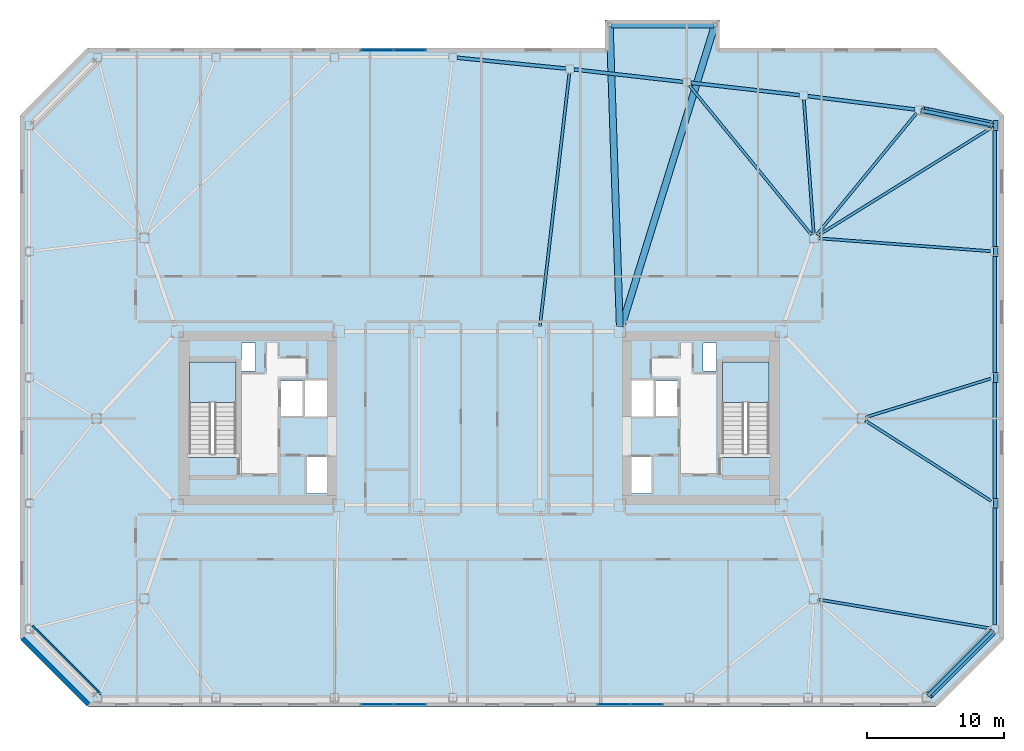
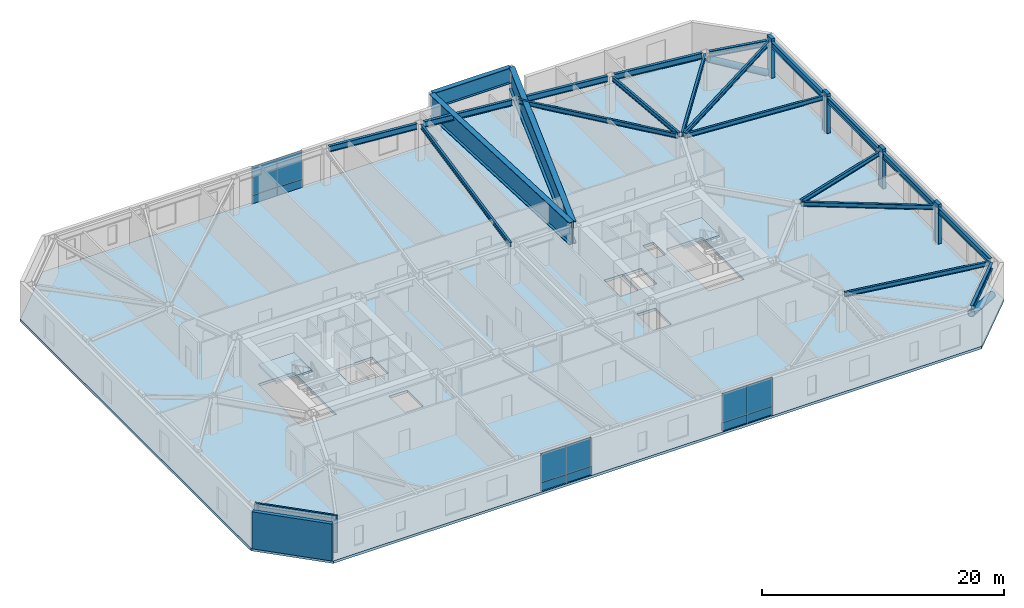
# One storey, part 9 of 18: 22 beams, 12 plates, 6 members, 3 slabs, 2 walls, 5 elements without a shape of their own.
"""IFC4 building model written with IfcOpenShell, lengths in metres."""

from ifc_helpers import new_model, si_unit, direction, frame, frame_2d, origin, origin_2d, place, context, subcontext, project, spatial, polyline, rectangle, hollow_circle, i_section, outline, extrude, material, layer, layer_set, material_profile, profile_set, type_object, element, aggregate, save


model = new_model("IFC4")

# Units and contexts
model_context = context("Model", 3, precision=1e-05, world=origin(), true_north=direction((0.0, 1.0)))
body_context = subcontext(model_context, "Body", "Model", "MODEL_VIEW")
ifc_project = project(units=[si_unit("LENGTHUNIT", "METRE"), si_unit("AREAUNIT", "SQUARE_METRE"), si_unit("VOLUMEUNIT", "CUBIC_METRE"), si_unit("PLANEANGLEUNIT", "RADIAN"), si_unit("MASSUNIT", "GRAM", prefix="KILO")], contexts=[model_context])

# Site, building, storey
site_placement = place(None, origin())
site = spatial("IfcSite", under=ifc_project, at=site_placement, CompositionType="ELEMENT")
building_placement = place(site_placement, origin())
building = spatial("IfcBuilding", under=site, at=building_placement, Name="Tavrogorsk Clinical Tower", CompositionType="ELEMENT")
storey_placement = place(building_placement, frame((0.0, 0.0, 180.199951171875)))
storey = spatial("IfcBuildingStorey", under=building, at=storey_placement, Name="L41", CompositionType="ELEMENT", Elevation=180.199951171875)

# Members
ifc_material_1 = material(Name="Structural steel S440", Category="steel")
ifc_material_profile_1 = material_profile(ifc_material_1, hollow_circle(Radius=0.304931640625, WallThickness=0.02490234375, at=origin_2d()), Name="CHS-610x25")
ifc_profile_set_1 = profile_set([ifc_material_profile_1], Name="Structural steel S440")
member_type_1 = type_object("IfcMemberType", Name="ExoBrace_CHS610", PredefinedType="BRACE", material=ifc_profile_set_1)
member_1_placement = place(storey_placement, frame((37.517333984375, -15.62255859375, 0.4130859375), z_axis=(-0.657738695475, -0.657773644396, 0.3670335696), x_axis=(0.707125566484, -0.70708799539, 0.0)))
element("IfcMember", 1, at=member_1_placement, inside=storey, type_object=member_type_1, Name="L41 Corner Exoskeleton Brace S8-E1", PredefinedType="BRACE", context=body_context, shape_type="SweptSolid", body=[
    extrude(hollow_circle(Radius=0.304931640625, WallThickness=0.02490234375, at=origin_2d()), origin(), (0.0, 0.0, 1.0), 6.985595703125),
])
member_2_placement = place(storey_placement, frame((37.44970703125, 21.47607421875, 0.4365234375), z_axis=(-0.877871206027, 0.181924853718, 0.442996042002), x_axis=(-0.202922555913, -0.979194789764, 0.0)))
element("IfcMember", 2, at=member_2_placement, inside=storey, type_object=member_type_1, Name="L41 Corner Exoskeleton Brace E5-N1", PredefinedType="BRACE", context=body_context, shape_type="SweptSolid", body=[
    extrude(hollow_circle(Radius=0.304931640625, WallThickness=0.02490234375, at=origin_2d()), origin(), (0.0, 0.0, 1.0), 5.681884765625),
])

# Beams
ifc_material_2 = material(Name="Structural steel S355", Category="steel")
ifc_material_profile_2 = material_profile(ifc_material_2, i_section(OverallWidth=0.199951171875, OverallDepth=0.449951171875, WebThickness=0.011474609375, FlangeThickness=0.01806640625, at=origin_2d()), Name="B-450x200x11.5x18")
ifc_profile_set_2 = profile_set([ifc_material_profile_2], Name="Structural steel S355")
beam_type_1 = type_object("IfcBeamType", Name="FloorBeam_B450", PredefinedType="BEAM", material=ifc_profile_set_2)
beam_1_placement = place(storey_placement, frame((24.69677734375, 13.439453125, 3.51513671875), z_axis=(0.634628511763, 0.772817347151, 0.0), x_axis=(-0.772817347151, 0.634628511763, 0.0)))
element("IfcBeam", 3, at=beam_1_placement, inside=storey, type_object=beam_type_1, Name="L41 Radial Floor Beam N1", PredefinedType="BEAM", context=body_context, shape_type="SweptSolid", body=[
    extrude(i_section(OverallWidth=0.199951171875, OverallDepth=0.449951171875, WebThickness=0.011474609375, FlangeThickness=0.01806640625, at=origin_2d()), origin(), (0.0, 0.0, 1.0), 11.501220703125),
])
beam_2_placement = place(storey_placement, frame((24.477294921875, 13.50927734375, 3.51513671875), z_axis=(-0.072962981763, 0.9973346496, 0.0), x_axis=(-0.9973346496, -0.072962981763, 0.0)))
element("IfcBeam", 4, at=beam_2_placement, inside=storey, type_object=beam_type_1, Name="L41 Radial Floor Beam N2", PredefinedType="BEAM", context=body_context, shape_type="SweptSolid", body=[
    extrude(i_section(OverallWidth=0.199951171875, OverallDepth=0.449951171875, WebThickness=0.011474609375, FlangeThickness=0.01806640625, at=origin_2d()), origin(), (0.0, 0.0, 1.0), 9.827392578125),
])
beam_3_placement = place(storey_placement, frame((24.3037109375, 13.43994140625, 3.51513671875), z_axis=(-0.632955765669, 0.774187960838, 0.0), x_axis=(-0.774187960838, -0.632955765669, 0.0)))
element("IfcBeam", 5, at=beam_3_placement, inside=storey, type_object=beam_type_1, Name="L41 Radial Floor Beam N3", PredefinedType="BEAM", context=body_context, shape_type="SweptSolid", body=[
    extrude(i_section(OverallWidth=0.199951171875, OverallDepth=0.449951171875, WebThickness=0.011474609375, FlangeThickness=0.01806640625, at=origin_2d()), origin(), (0.0, 0.0, 1.0), 14.09716796875),
])
beam_4_placement = place(storey_placement, frame((4.447265625, 6.75732421875, 3.51513671875), z_axis=(0.115490633481, 0.993308569166, 0.0), x_axis=(-0.993308569166, 0.115490633481, 0.0)))
element("IfcBeam", 6, at=beam_4_placement, inside=storey, type_object=beam_type_1, Name="L41 Radial Floor Beam N4", PredefinedType="BEAM", context=body_context, shape_type="SweptSolid", body=[
    extrude(i_section(OverallWidth=0.199951171875, OverallDepth=0.449951171875, WebThickness=0.011474609375, FlangeThickness=0.01806640625, at=origin_2d()), origin(), (0.0, 0.0, 1.0), 18.628173828125),
])
beam_5_placement = place(storey_placement, frame((24.8056640625, -13.251220703125, 3.51513671875), z_axis=(0.986191418361, -0.165609439197, 0.0), x_axis=(0.165609439197, 0.986191418361, 0.0)))
element("IfcBeam", 7, at=beam_5_placement, inside=storey, type_object=beam_type_1, Name="L41 Radial Floor Beam E1", PredefinedType="BEAM", context=body_context, shape_type="SweptSolid", body=[
    extrude(i_section(OverallWidth=0.199951171875, OverallDepth=0.449951171875, WebThickness=0.011474609375, FlangeThickness=0.01806640625, at=origin_2d()), origin(), (0.0, 0.0, 1.0), 12.787109375),
])
beam_6_placement = place(storey_placement, frame((28.26123046875, -0.1669921875, 3.51513671875), z_axis=(0.842699642064, -0.538383983106, 0.0), x_axis=(0.538383983106, 0.842699642064, 0.0)))
element("IfcBeam", 8, at=beam_6_placement, inside=storey, type_object=beam_type_1, Name="L41 Radial Floor Beam E2", PredefinedType="BEAM", context=body_context, shape_type="SweptSolid", body=[
    extrude(i_section(OverallWidth=0.199951171875, OverallDepth=0.449951171875, WebThickness=0.011474609375, FlangeThickness=0.01806640625, at=origin_2d()), origin(), (0.0, 0.0, 1.0), 10.916259765625),
])
beam_7_placement = place(storey_placement, frame((28.296142578125, 0.09130859375, 3.51513671875), z_axis=(0.955521187686, 0.294922464187, 0.0), x_axis=(-0.294922464187, 0.955521187686, 0.0)))
element("IfcBeam", 9, at=beam_7_placement, inside=storey, type_object=beam_type_1, Name="L41 Radial Floor Beam E3", PredefinedType="BEAM", context=body_context, shape_type="SweptSolid", body=[
    extrude(i_section(OverallWidth=0.199951171875, OverallDepth=0.449951171875, WebThickness=0.011474609375, FlangeThickness=0.01806640625, at=origin_2d()), origin(), (0.0, 0.0, 1.0), 9.5546875),
])
beam_8_placement = place(storey_placement, frame((24.80908203125, 13.1767578125, 3.51513671875), z_axis=(0.997207767172, -0.074677098845, 0.0), x_axis=(0.074677098845, 0.997207767172, 0.0)))
element("IfcBeam", 10, at=beam_8_placement, inside=storey, type_object=beam_type_1, Name="L41 Radial Floor Beam E4", PredefinedType="BEAM", context=body_context, shape_type="SweptSolid", body=[
    extrude(i_section(OverallWidth=0.199951171875, OverallDepth=0.449951171875, WebThickness=0.011474609375, FlangeThickness=0.01806640625, at=origin_2d()), origin(), (0.0, 0.0, 1.0), 12.63916015625),
])
beam_9_placement = place(storey_placement, frame((24.76318359375, 13.36376953125, 3.51513671875), z_axis=(0.849229115923, 0.528024534154, 0.0), x_axis=(-0.528024534154, 0.849229115923, 0.0)))
element("IfcBeam", 11, at=beam_9_placement, inside=storey, type_object=beam_type_1, Name="L41 Radial Floor Beam E5", PredefinedType="BEAM", context=body_context, shape_type="SweptSolid", body=[
    extrude(i_section(OverallWidth=0.199951171875, OverallDepth=0.449951171875, WebThickness=0.011474609375, FlangeThickness=0.01806640625, at=origin_2d()), origin(), (0.0, 0.0, 1.0), 14.94921875),
])

# Members
ifc_material_3 = material(Name="Precast concrete B45 with limestone cladding", Category="masonry")
ifc_material_profile_3 = material_profile(ifc_material_3, rectangle(XDim=0.320068359375, YDim=0.719970703125, at=origin_2d()), Name="LIMESTONE-FIN-320x720")
ifc_profile_set_3 = profile_set([ifc_material_profile_3], Name="Precast concrete B45 with limestone cladding")
member_type_2 = type_object("IfcMemberType", Name="LimestonePleatFin_320x720", PredefinedType="USERDEFINED", material=ifc_profile_set_3)
for number, where, z_axis, x_axis, name in (
    (12, (37.800048828125, -6.2099609375, 0.0), (0.0, 0.0, 1.0), (1.0, 0.0, 0.0), "L41 E Pleated Stone Fin 1"),
    (13, (37.800048828125, 3.0, 0.0), (0.0, 0.0, 1.0), (1.0, 0.0, 0.0), "L41 E Pleated Stone Fin 2"),
    (14, (37.800048828125, 12.2099609375, 0.0), (0.0, 0.0, 1.0), (1.0, 0.0, 0.0), "L41 E Pleated Stone Fin 3"),
    (15, (37.800048828125, 21.419921875, 0.0), (0.0, 0.0, 1.0), (1.0, 0.0, 0.0), "L41 E Pleated Stone Fin 4"),
):
    element("IfcMember", number, at=place(storey_placement, frame(where, z_axis=z_axis, x_axis=x_axis)), inside=storey, type_object=member_type_2, Name=name, ObjectType="FIN", PredefinedType="USERDEFINED", context=body_context, shape_type="SweptSolid", body=[
        extrude(rectangle(XDim=0.320068359375, YDim=0.719970703125, at=origin_2d()), origin(), (0.0, 0.0, 1.0), 4.0),
    ])

# Beams
ifc_material_4 = material(Name="Structural steel S390", Category="steel")
ifc_material_profile_4 = material_profile(ifc_material_4, i_section(OverallWidth=0.260009765625, OverallDepth=0.60009765625, WebThickness=0.014892578125, FlangeThickness=0.02392578125, at=origin_2d()), Name="B-600x260x15x24")
ifc_profile_set_4 = profile_set([ifc_material_profile_4], Name="Structural steel S390")
beam_type_2 = type_object("IfcBeamType", Name="SpandrelBeam_B600", PredefinedType="SPANDREL", material=ifc_profile_set_4)
beam_10_placement = place(storey_placement, frame((32.937744140625, -20.2021484375, 3.43994140625), z_axis=(0.707106781187, 0.707106781187, 0.0), x_axis=(-0.707106781187, 0.707106781187, 0.0)))
element("IfcBeam", 16, at=beam_10_placement, inside=storey, type_object=beam_type_2, Name="L41 Perimeter Spandrel S8-E1", PredefinedType="SPANDREL", context=body_context, shape_type="SweptSolid", body=[
    extrude(i_section(OverallWidth=0.260009765625, OverallDepth=0.60009765625, WebThickness=0.014892578125, FlangeThickness=0.02392578125, at=origin_2d()), origin(), (0.0, 0.0, 1.0), 6.455078125),
])
for number, where, z_axis, x_axis, name in (
    (17, (37.719970703125, -15.112060546875, 3.43994140625), (0.0, 1.0, 0.0), (-1.0, 0.0, 0.0), "L41 Perimeter Spandrel E1-E2"),
    (18, (37.719970703125, -5.902099609375, 3.43994140625), (0.0, 1.0, 0.0), (-1.0, 0.0, 0.0), "L41 Perimeter Spandrel E2-E3"),
    (19, (37.719970703125, 3.30810546875, 3.43994140625), (0.0, 1.0, 0.0), (-1.0, 0.0, 0.0), "L41 Perimeter Spandrel E3-E4"),
    (20, (37.719970703125, 12.51806640625, 3.43994140625), (0.0, 1.0, 0.0), (-1.0, 0.0, 0.0), "L41 Perimeter Spandrel E4-E5"),
):
    element("IfcBeam", number, at=place(storey_placement, frame(where, z_axis=z_axis, x_axis=x_axis)), inside=storey, type_object=beam_type_2, Name=name, PredefinedType="SPANDREL", context=body_context, shape_type="SweptSolid", body=[
        extrude(i_section(OverallWidth=0.260009765625, OverallDepth=0.60009765625, WebThickness=0.014892578125, FlangeThickness=0.02392578125, at=origin_2d()), origin(), (0.0, 0.0, 1.0), 8.593994140625),
    ])
beam_11_placement = place(storey_placement, frame((37.41845703125, 21.482421875, 3.43994140625), z_axis=(-0.979184643877, 0.202971508337, 0.0), x_axis=(-0.202971508337, -0.979184643877, 0.0)))
element("IfcBeam", 21, at=beam_11_placement, inside=storey, type_object=beam_type_2, Name="L41 Perimeter Spandrel E5-N1", PredefinedType="SPANDREL", context=body_context, shape_type="SweptSolid", body=[
    extrude(i_section(OverallWidth=0.260009765625, OverallDepth=0.60009765625, WebThickness=0.014892578125, FlangeThickness=0.02392578125, at=origin_2d()), origin(), (0.0, 0.0, 1.0), 5.0302734375),
])
beam_12_placement = place(storey_placement, frame((31.8857421875, 22.60400390625, 3.43994140625), z_axis=(-0.992347112015, 0.123479590521, 0.0), x_axis=(-0.123479590521, -0.992347112015, 0.0)))
element("IfcBeam", 22, at=beam_12_placement, inside=storey, type_object=beam_type_2, Name="L41 Perimeter Spandrel N1-N2", PredefinedType="SPANDREL", context=body_context, shape_type="SweptSolid", body=[
    extrude(i_section(OverallWidth=0.260009765625, OverallDepth=0.60009765625, WebThickness=0.014892578125, FlangeThickness=0.02392578125, at=origin_2d()), origin(), (0.0, 0.0, 1.0), 7.90283203125),
])
beam_13_placement = place(storey_placement, frame((23.431884765625, 23.652587890625, 3.43994140625), z_axis=(-0.993569841398, 0.113220891465, 0.0), x_axis=(-0.113220891465, -0.993569841398, 0.0)))
element("IfcBeam", 23, at=beam_13_placement, inside=storey, type_object=beam_type_2, Name="L41 Perimeter Spandrel N2-N3", PredefinedType="SPANDREL", context=body_context, shape_type="SweptSolid", body=[
    extrude(i_section(OverallWidth=0.260009765625, OverallDepth=0.60009765625, WebThickness=0.014892578125, FlangeThickness=0.02392578125, at=origin_2d()), origin(), (0.0, 0.0, 1.0), 7.9912109375),
])
beam_14_placement = place(storey_placement, frame((14.8798828125, 24.626953125, 3.43994140625), z_axis=(-0.993569449752, 0.113224328304, 0.0), x_axis=(-0.113224328304, -0.993569449752, 0.0)))
element("IfcBeam", 24, at=beam_14_placement, inside=storey, type_object=beam_type_2, Name="L41 Perimeter Spandrel N3-N4", PredefinedType="SPANDREL", context=body_context, shape_type="SweptSolid", body=[
    extrude(i_section(OverallWidth=0.260009765625, OverallDepth=0.60009765625, WebThickness=0.014892578125, FlangeThickness=0.02392578125, at=origin_2d()), origin(), (0.0, 0.0, 1.0), 7.990966796875),
])
beam_15_placement = place(storey_placement, frame((6.32763671875, 25.59716796875, 3.43994140625), z_axis=(-0.995074624158, 0.099128665666, 0.0), x_axis=(-0.099128665666, -0.995074624158, 0.0)))
element("IfcBeam", 25, at=beam_15_placement, inside=storey, type_object=beam_type_2, Name="L41 Perimeter Spandrel N4-N5", PredefinedType="SPANDREL", context=body_context, shape_type="SweptSolid", body=[
    extrude(i_section(OverallWidth=0.260009765625, OverallDepth=0.60009765625, WebThickness=0.014892578125, FlangeThickness=0.02392578125, at=origin_2d()), origin(), (0.0, 0.0, 1.0), 7.991943359375),
])
ifc_material_5 = material(Name="Structural steel S440", Category="steel")
ifc_material_profile_5 = material_profile(ifc_material_5, i_section(OverallWidth=0.449951171875, OverallDepth=1.60009765625, WebThickness=0.031982421875, FlangeThickness=0.050048828125, at=origin_2d()), Name="DK-1600x450x32x50")
ifc_profile_set_5 = profile_set([ifc_material_profile_5], Name="Structural steel S440")
beam_type_3 = type_object("IfcBeamType", Name="TransferGirder_DK1600", PredefinedType="USERDEFINED", material=ifc_profile_set_5)
beam_16_placement = place(storey_placement, frame((9.669921875, 28.800048828125, 2.93994140625), z_axis=(1.0, 0.0, 0.0), x_axis=(0.0, 1.0, 0.0)))
element("IfcBeam", 26, at=beam_16_placement, inside=storey, type_object=beam_type_3, Name="L41 Day-Room Front Edge Beam DRB-06", ObjectType="GIRDER", PredefinedType="USERDEFINED", context=body_context, shape_type="SweptSolid", body=[
    extrude(i_section(OverallWidth=0.449951171875, OverallDepth=1.60009765625, WebThickness=0.031982421875, FlangeThickness=0.050048828125, at=origin_2d()), origin(), (0.0, 0.0, 1.0), 7.4599609375),
])
ifc_material_6 = material(Name="Structural steel S440", Category="steel")
ifc_material_profile_6 = material_profile(ifc_material_6, i_section(OverallWidth=0.5, OverallDepth=2.199951171875, WebThickness=0.035888671875, FlangeThickness=0.054931640625, at=origin_2d()), Name="DK-2200x500x36x55")
ifc_profile_set_6 = profile_set([ifc_material_profile_6], Name="Structural steel S440")
beam_type_4 = type_object("IfcBeamType", Name="TransferGirder_DK2200", PredefinedType="USERDEFINED", material=ifc_profile_set_6)
beam_17_placement = place(storey_placement, frame((10.286376953125, 6.759765625, 2.64013671875), z_axis=(-0.033391250591, 0.999442356709, 0.0), x_axis=(-0.999442356709, -0.033391250591, 0.0)))
element("IfcBeam", 27, at=beam_17_placement, inside=storey, type_object=beam_type_4, Name="L41 Day-Room Cantilever Beam DRB-06-L", ObjectType="GIRDER", PredefinedType="USERDEFINED", context=body_context, shape_type="SweptSolid", body=[
    extrude(i_section(OverallWidth=0.5, OverallDepth=2.199951171875, WebThickness=0.035888671875, FlangeThickness=0.054931640625, at=origin_2d()), origin(), (0.0, 0.0, 1.0), 21.91259765625),
])
beam_18_placement = place(storey_placement, frame((10.421142578125, 6.74169921875, 2.64013671875), z_axis=(0.295730646784, 0.95527136697, 0.0), x_axis=(-0.95527136697, 0.295730646784, 0.0)))
element("IfcBeam", 28, at=beam_18_placement, inside=storey, type_object=beam_type_4, Name="L41 Day-Room Cantilever Beam DRB-06-R", ObjectType="GIRDER", PredefinedType="USERDEFINED", context=body_context, shape_type="SweptSolid", body=[
    extrude(i_section(OverallWidth=0.5, OverallDepth=2.199951171875, WebThickness=0.035888671875, FlangeThickness=0.054931640625, at=origin_2d()), origin(), (0.0, 0.0, 1.0), 22.951171875),
])

# Curtain wall, plates
ifc_material_7 = material(Name="Anodised aluminium and triple IGU glazing", Category="aluminium")
ifc_layer_1 = layer(ifc_material_7, 0.179931640625)
ifc_layer_set_1 = layer_set([ifc_layer_1], Name="Anodised aluminium and triple IGU glazing")
curtain_wall_type_1 = type_object("IfcCurtainWallType", Name="CW3_SouthSlot", PredefinedType="NOTDEFINED", material=ifc_layer_set_1)
curtain_wall_1_placement = place(storey_placement, origin())
curtain_wall_1 = element("IfcCurtainWall", 29, at=curtain_wall_1_placement, inside=storey, type_object=curtain_wall_type_1, Name="L41 Curtain Wall CW-L41-S-SLOT-1", PredefinedType="NOTDEFINED")
ifc_material_8 = material(Name="Honed Podolsk limestone spandrel panel", Category="masonry")
ifc_layer_2 = layer(ifc_material_8, 0.080078125)
ifc_layer_set_2 = layer_set([ifc_layer_2], Name="Honed Podolsk limestone spandrel panel")
plate_type_1 = type_object("IfcPlateType", Name="CwSpandrelStonePanel_80", PredefinedType="CURTAIN_PANEL", material=ifc_layer_set_2)
plate_1_placement = place(storey_placement, frame((-7.470947265625, -20.929931640625, 0.002197265625), z_axis=(0.0, 0.0, 1.0), x_axis=(1.0, 0.0, 0.0)))
plate_1 = element("IfcPlate", 30, at=plate_1_placement, type_object=plate_type_1, Name="CW-L41-S-SLOT-1 Stone Spandrel Panel 1", PredefinedType="CURTAIN_PANEL", context=body_context, shape_type="SweptSolid", body=[
    extrude(rectangle(XDim=2.39208984375, YDim=0.080078125, at=origin_2d()), origin(), (0.0, 0.0, 1.0), 0.8359375),
])
plate_2_placement = place(storey_placement, frame((-5.054931640625, -20.929931640625, 0.002197265625), z_axis=(0.0, 0.0, 1.0), x_axis=(1.0, 0.0, 0.0)))
plate_2 = element("IfcPlate", 31, at=plate_2_placement, type_object=plate_type_1, Name="CW-L41-S-SLOT-1 Stone Spandrel Panel 2", PredefinedType="CURTAIN_PANEL", context=body_context, shape_type="SweptSolid", body=[
    extrude(rectangle(XDim=2.39208984375, YDim=0.080078125, at=origin_2d()), origin(), (0.0, 0.0, 1.0), 0.8359375),
])

curtain_wall_2_placement = place(storey_placement, origin())
curtain_wall_2 = element("IfcCurtainWall", 32, at=curtain_wall_2_placement, inside=storey, type_object=curtain_wall_type_1, Name="L41 Curtain Wall CW-L41-S-SLOT-2", PredefinedType="NOTDEFINED")
plate_3_placement = place(storey_placement, frame((9.854736328125, -20.929931640625, 0.002197265625), z_axis=(0.0, 0.0, 1.0), x_axis=(1.0, 0.0, 0.0)))
plate_3 = element("IfcPlate", 33, at=plate_3_placement, type_object=plate_type_1, Name="CW-L41-S-SLOT-2 Stone Spandrel Panel 1", PredefinedType="CURTAIN_PANEL", context=body_context, shape_type="SweptSolid", body=[
    extrude(rectangle(XDim=2.39208984375, YDim=0.080078125, at=origin_2d()), origin(), (0.0, 0.0, 1.0), 0.8359375),
])
plate_4_placement = place(storey_placement, frame((12.270751953125, -20.929931640625, 0.002197265625), z_axis=(0.0, 0.0, 1.0), x_axis=(1.0, 0.0, 0.0)))
plate_4 = element("IfcPlate", 34, at=plate_4_placement, type_object=plate_type_1, Name="CW-L41-S-SLOT-2 Stone Spandrel Panel 2", PredefinedType="CURTAIN_PANEL", context=body_context, shape_type="SweptSolid", body=[
    extrude(rectangle(XDim=2.39208984375, YDim=0.080078125, at=origin_2d()), origin(), (0.0, 0.0, 1.0), 0.8359375),
])

ifc_material_9 = material(Name="Anodised aluminium and triple IGU glazing", Category="aluminium")
ifc_layer_3 = layer(ifc_material_9, 0.179931640625)
ifc_layer_set_3 = layer_set([ifc_layer_3], Name="Anodised aluminium and triple IGU glazing")
curtain_wall_type_2 = type_object("IfcCurtainWallType", Name="CW2_NorthSlot", PredefinedType="NOTDEFINED", material=ifc_layer_set_3)
curtain_wall_3_placement = place(storey_placement, origin())
curtain_wall_3 = element("IfcCurtainWall", 35, at=curtain_wall_3_placement, inside=storey, type_object=curtain_wall_type_2, Name="L41 Curtain Wall CW-L41-N-SLOT-1", PredefinedType="NOTDEFINED")
plate_5_placement = place(storey_placement, frame((-5.054931640625, 26.929931640625, 0.002197265625), z_axis=(0.0, 0.0, 1.0), x_axis=(-1.0, 0.0, 0.0)))
plate_5 = element("IfcPlate", 36, at=plate_5_placement, type_object=plate_type_1, Name="CW-L41-N-SLOT-1 Stone Spandrel Panel 1", PredefinedType="CURTAIN_PANEL", context=body_context, shape_type="SweptSolid", body=[
    extrude(rectangle(XDim=2.39208984375, YDim=0.080078125, at=origin_2d()), origin(), (0.0, 0.0, 1.0), 0.8359375),
])
plate_6_placement = place(storey_placement, frame((-7.470947265625, 26.929931640625, 0.002197265625), z_axis=(0.0, 0.0, 1.0), x_axis=(-1.0, 0.0, 0.0)))
plate_6 = element("IfcPlate", 37, at=plate_6_placement, type_object=plate_type_1, Name="CW-L41-N-SLOT-1 Stone Spandrel Panel 2", PredefinedType="CURTAIN_PANEL", context=body_context, shape_type="SweptSolid", body=[
    extrude(rectangle(XDim=2.39208984375, YDim=0.080078125, at=origin_2d()), origin(), (0.0, 0.0, 1.0), 0.8359375),
])

# Plate
ifc_material_10 = material(Name="Triple low-E argon insulated glass", Category="glass")
ifc_layer_4 = layer(ifc_material_10, 0.048095703125)
ifc_layer_set_4 = layer_set([ifc_layer_4], Name="Triple low-E argon insulated glass")
plate_type_2 = type_object("IfcPlateType", Name="CwVisionGlassPanel_48", PredefinedType="CURTAIN_PANEL", material=ifc_layer_set_4)
plate_7_placement = place(storey_placement, frame((-7.470947265625, -20.929931640625, 0.862060546875), z_axis=(0.0, 0.0, 1.0), x_axis=(1.0, 0.0, 0.0)))
plate_7 = element("IfcPlate", 38, at=plate_7_placement, type_object=plate_type_2, Name="CW-L41-S-SLOT-1 Glazing Panel 1", PredefinedType="CURTAIN_PANEL", context=body_context, shape_type="SweptSolid", body=[
    extrude(rectangle(XDim=2.39208984375, YDim=0.048095703125, at=origin_2d()), origin(), (0.0, 0.0, 1.0), 2.8759765625),
])

plate_8_placement = place(storey_placement, frame((-5.054931640625, -20.929931640625, 0.862060546875), z_axis=(0.0, 0.0, 1.0), x_axis=(1.0, 0.0, 0.0)))
plate_8 = element("IfcPlate", 39, at=plate_8_placement, type_object=plate_type_2, Name="CW-L41-S-SLOT-1 Glazing Panel 2", PredefinedType="CURTAIN_PANEL", context=body_context, shape_type="SweptSolid", body=[
    extrude(rectangle(XDim=2.39208984375, YDim=0.048095703125, at=origin_2d()), origin(), (0.0, 0.0, 1.0), 2.8759765625),
])

aggregate(curtain_wall_1, [plate_1, plate_7, plate_2, plate_8])

plate_9_placement = place(storey_placement, frame((9.854736328125, -20.929931640625, 0.862060546875), z_axis=(0.0, 0.0, 1.0), x_axis=(1.0, 0.0, 0.0)))
plate_9 = element("IfcPlate", 40, at=plate_9_placement, type_object=plate_type_2, Name="CW-L41-S-SLOT-2 Glazing Panel 1", PredefinedType="CURTAIN_PANEL", context=body_context, shape_type="SweptSolid", body=[
    extrude(rectangle(XDim=2.39208984375, YDim=0.048095703125, at=origin_2d()), origin(), (0.0, 0.0, 1.0), 2.8759765625),
])

plate_10_placement = place(storey_placement, frame((12.270751953125, -20.929931640625, 0.862060546875), z_axis=(0.0, 0.0, 1.0), x_axis=(1.0, 0.0, 0.0)))
plate_10 = element("IfcPlate", 41, at=plate_10_placement, type_object=plate_type_2, Name="CW-L41-S-SLOT-2 Glazing Panel 2", PredefinedType="CURTAIN_PANEL", context=body_context, shape_type="SweptSolid", body=[
    extrude(rectangle(XDim=2.39208984375, YDim=0.048095703125, at=origin_2d()), origin(), (0.0, 0.0, 1.0), 2.8759765625),
])

aggregate(curtain_wall_2, [plate_3, plate_9, plate_4, plate_10])

plate_11_placement = place(storey_placement, frame((-5.054931640625, 26.929931640625, 0.862060546875), z_axis=(0.0, 0.0, 1.0), x_axis=(-1.0, 0.0, 0.0)))
plate_11 = element("IfcPlate", 42, at=plate_11_placement, type_object=plate_type_2, Name="CW-L41-N-SLOT-1 Glazing Panel 1", PredefinedType="CURTAIN_PANEL", context=body_context, shape_type="SweptSolid", body=[
    extrude(rectangle(XDim=2.39208984375, YDim=0.048095703125, at=origin_2d()), origin(), (0.0, 0.0, 1.0), 2.8759765625),
])

plate_12_placement = place(storey_placement, frame((-7.470947265625, 26.929931640625, 0.862060546875), z_axis=(0.0, 0.0, 1.0), x_axis=(-1.0, 0.0, 0.0)))
plate_12 = element("IfcPlate", 43, at=plate_12_placement, type_object=plate_type_2, Name="CW-L41-N-SLOT-1 Glazing Panel 2", PredefinedType="CURTAIN_PANEL", context=body_context, shape_type="SweptSolid", body=[
    extrude(rectangle(XDim=2.39208984375, YDim=0.048095703125, at=origin_2d()), origin(), (0.0, 0.0, 1.0), 2.8759765625),
])

aggregate(curtain_wall_3, [plate_5, plate_11, plate_6, plate_12])

# Stair, slab
ifc_material_11 = material(Name="Concrete B60", Category="concrete")
stair_type = type_object("IfcStairType", Name="CoreStairAssembly", PredefinedType="HALF_TURN_STAIR", material=ifc_material_11)
stair_1_placement = place(storey_placement, origin())
stair_1 = element("IfcStair", 44, at=stair_1_placement, inside=storey, type_object=stair_type, Name="L41 ST-W", PredefinedType="HALF_TURN_STAIR")
ifc_material_12 = material(Name="Concrete B60", Category="concrete")
ifc_layer_5 = layer(ifc_material_12, 0.199951171875)
ifc_layer_set_5 = layer_set([ifc_layer_5], Name="Concrete B60")
slab_type_1 = type_object("IfcSlabType", Name="StairLanding_200", PredefinedType="LANDING", material=ifc_layer_set_5)
slab_1_placement = place(storey_placement, frame((0.0, 0.0, 1.800048828125)))
slab_1 = element("IfcSlab", 45, at=slab_1_placement, type_object=slab_type_1, Name="ST-W landing 1", PredefinedType="LANDING", context=body_context, shape_type="SweptSolid", body=[
    extrude(outline(polyline([(-17.800048828125, 1.1650390625), (-17.800048828125, 4.125), (-21.199951171875, 4.125), (-21.199951171875, 1.1650390625), (-17.800048828125, 1.1650390625)])), origin(), (0.0, 0.0, 1.0), 0.199951171875),
])
aggregate(stair_1, [slab_1])

stair_2_placement = place(storey_placement, origin())
stair_2 = element("IfcStair", 46, at=stair_2_placement, inside=storey, type_object=stair_type, Name="L41 ST-E", PredefinedType="HALF_TURN_STAIR")
slab_2_placement = place(storey_placement, frame((0.0, 0.0, 1.800048828125)))
slab_2 = element("IfcSlab", 47, at=slab_2_placement, type_object=slab_type_1, Name="ST-E landing 1", PredefinedType="LANDING", context=body_context, shape_type="SweptSolid", body=[
    extrude(outline(polyline([(21.199951171875, 1.1650390625), (21.199951171875, 4.125), (17.800048828125, 4.125), (17.800048828125, 1.1650390625), (21.199951171875, 1.1650390625)])), origin(), (0.0, 0.0, 1.0), 0.199951171875),
])
aggregate(stair_2, [slab_2])

# Slab
ifc_material_13 = material(Name="Concrete B60", Category="concrete")
ifc_layer_6 = layer(ifc_material_13, 0.260009765625)
ifc_layer_set_6 = layer_set([ifc_layer_6], Name="Concrete B60")
slab_type_2 = type_object("IfcSlabType", Name="WardSlab_260", PredefinedType="FLOOR", material=ifc_layer_set_6)
slab_3_placement = place(storey_placement, frame((0.0, 0.0, -0.260009765625)))
element("IfcSlab", 48, at=slab_3_placement, inside=storey, type_object=slab_type_2, Name="L41 Structural Slab", PredefinedType="FLOOR", context=body_context, shape_type="SweptSolid", body=[
    extrude(outline(polyline([(33.39990234375, 27.10009765625), (38.39990234375, 22.10009765625), (38.39990234375, -16.10009765625), (33.39990234375, -21.10009765625), (-28.60009765625, -21.10009765625), (-33.60009765625, -16.10009765625), (-33.60009765625, 22.10009765625), (-28.60009765625, 27.10009765625), (9.199951171875, 27.10009765625), (9.199951171875, 29.14990234375), (17.60009765625, 29.14990234375), (17.60009765625, 27.10009765625), (33.39990234375, 27.10009765625)]), holes=[polyline([(-17.800048828125, -2.8798828125), (-17.800048828125, 4.125), (-21.199951171875, 4.125), (-21.199951171875, -2.8798828125), (-17.800048828125, -2.8798828125)]), polyline([(21.199951171875, -2.8798828125), (21.199951171875, 4.125), (17.800048828125, 4.125), (17.800048828125, -2.8798828125), (21.199951171875, -2.8798828125)]), polyline([(-14.6201171875, 0.169921875), (-12.860107421875, 0.169921875), (-12.860107421875, 2.72998046875), (-14.6201171875, 2.72998046875), (-14.6201171875, 0.169921875)]), polyline([(-12.72998046875, -5.47998046875), (-10.969970703125, -5.47998046875), (-10.969970703125, -2.820068359375), (-12.72998046875, -2.820068359375), (-12.72998046875, -5.47998046875)]), polyline([(-12.840087890625, 0.1201171875), (-11.080078125, 0.1201171875), (-11.080078125, 2.780029296875), (-12.840087890625, 2.780029296875), (-12.840087890625, 0.1201171875)]), polyline([(12.860107421875, 0.169921875), (14.6201171875, 0.169921875), (14.6201171875, 2.72998046875), (12.860107421875, 2.72998046875), (12.860107421875, 0.169921875)]), polyline([(10.969970703125, -5.47998046875), (12.72998046875, -5.47998046875), (12.72998046875, -2.820068359375), (10.969970703125, -2.820068359375), (10.969970703125, -5.47998046875)]), polyline([(11.080078125, 0.1201171875), (12.840087890625, 0.1201171875), (12.840087890625, 2.780029296875), (11.080078125, 2.780029296875), (11.080078125, 0.1201171875)]), polyline([(-17.3798828125, 3.449951171875), (-16.3798828125, 3.449951171875), (-16.3798828125, 5.5), (-17.3798828125, 5.5), (-17.3798828125, 3.449951171875)]), polyline([(16.3798828125, 3.449951171875), (17.3798828125, 3.449951171875), (17.3798828125, 5.5), (16.3798828125, 5.5), (16.3798828125, 3.449951171875)])]), origin(), (0.0, 0.0, 1.0), 0.260009765625),
])

# Walls
ifc_material_14 = material(Name="Lightweight concrete blockwork B15", Category="masonry")
ifc_layer_7 = layer(ifc_material_14, 0.159912109375)
ifc_layer_set_7 = layer_set([ifc_layer_7], Name="Lightweight concrete blockwork B15")
wall_type_1 = type_object("IfcWallType", Name="PartitionWall_160", PredefinedType="PARTITIONING", material=ifc_layer_set_7)
wall_1_placement = place(storey_placement, frame((-32.6796875, -15.1796875, 0.0), z_axis=(0.0, 0.0, 1.0), x_axis=(0.707106781187, -0.707106781187, 0.0)))
element("IfcWall", 49, at=wall_1_placement, inside=storey, type_object=wall_type_1, Name="L41 Corner Exoskeleton Brace Furring Wall 4", PredefinedType="PARTITIONING", context=body_context, shape_type="SweptSolid", body=[
    extrude(rectangle(XDim=7.071044921875, YDim=0.159912109375, at=frame_2d((3.53564453125, 0.0))), origin(), (0.0, 0.0, 1.0), 3.739990234375),
])
ifc_material_15 = material(Name="Precast concrete B45 with limestone cladding", Category="masonry")
ifc_layer_8 = layer(ifc_material_15, 0.340087890625)
ifc_layer_set_8 = layer_set([ifc_layer_8], Name="Precast concrete B45 with limestone cladding")
wall_type_2 = type_object("IfcWallType", Name="PrecastLimestoneWall_340", PredefinedType="STANDARD", material=ifc_layer_set_8)
wall_2_placement = place(storey_placement, frame((-33.429931640625, -16.10009765625, 0.0), z_axis=(0.0, 0.0, 1.0), x_axis=(0.707106781187, -0.707106781187, 0.0)))
element("IfcWall", 50, at=wall_2_placement, inside=storey, type_object=wall_type_2, Name="L41 Chamfered Corner Wall 4", PredefinedType="STANDARD", context=body_context, shape_type="SweptSolid", body=[
    extrude(rectangle(XDim=6.830322265625, YDim=0.340087890625, at=frame_2d((3.4150390625, 0.0))), origin(), (0.0, 0.0, 1.0), 3.739990234375),
])

save(model, "model.ifc")
